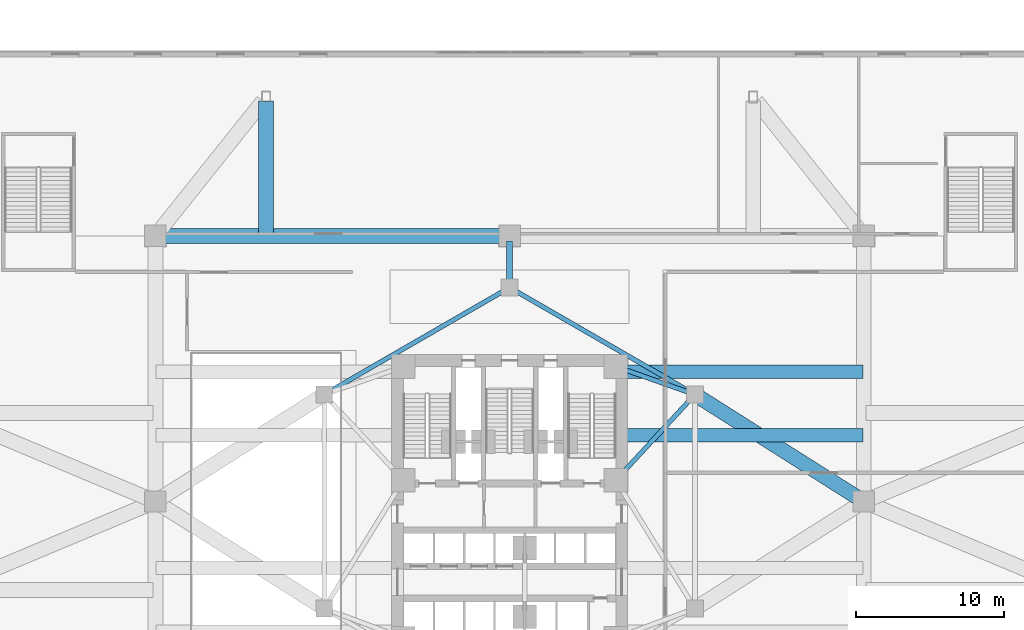
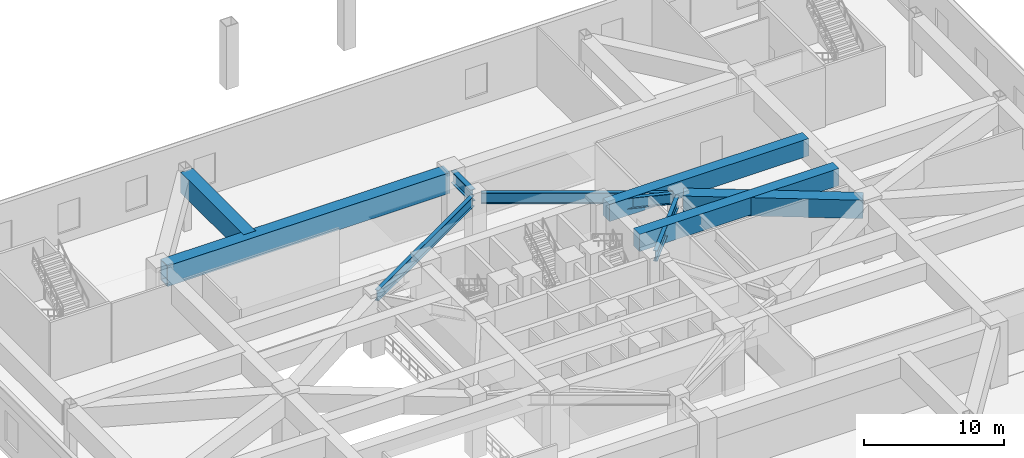
# One storey, part 6 of 23: 10 beams.
"""IFC4 building model written with IfcOpenShell, lengths in metres."""

from ifc_helpers import new_model, si_unit, direction, frame, origin, origin_2d, place, context, subcontext, project, spatial, rectangle, hollow_rectangle, i_section, extrude, material, material_profile, profile_set, type_object, element, save


model = new_model("IFC4")

# Units and contexts
model_context = context("Model", 3, precision=1e-05, world=origin(), true_north=direction((0.0, 1.0)))
body_context = subcontext(model_context, "Body", "Model", "MODEL_VIEW")
ifc_project = project(units=[si_unit("LENGTHUNIT", "METRE"), si_unit("AREAUNIT", "SQUARE_METRE"), si_unit("VOLUMEUNIT", "CUBIC_METRE"), si_unit("PLANEANGLEUNIT", "RADIAN"), si_unit("MASSUNIT", "GRAM", prefix="KILO")], contexts=[model_context])

# Site, building, storey
site_placement = place(None, origin())
site = spatial("IfcSite", under=ifc_project, at=site_placement, CompositionType="ELEMENT")
building_placement = place(site_placement, origin())
building = spatial("IfcBuilding", under=site, at=building_placement, Name="Apsidion Concourse Tower", CompositionType="ELEMENT")
storey_placement = place(building_placement, frame((0.0, 0.0, 6.0)))
storey = spatial("IfcBuildingStorey", under=building, at=storey_placement, Name="L01", CompositionType="ELEMENT", Elevation=6.0)

# Beams
ifc_material_1 = material(Name="Structural steel ASTM A992 Grade 50", Category="steel")
ifc_material_profile_1 = material_profile(ifc_material_1, i_section(OverallWidth=0.31005859375, OverallDepth=0.931884765625, WebThickness=0.02099609375, FlangeThickness=0.034423828125, at=origin_2d()), Name="W36X210")
ifc_profile_set_1 = profile_set([ifc_material_profile_1], Name="Structural steel ASTM A992 Grade 50")
beam_type_1 = type_object("IfcBeamType", Name="BM-G-W36", PredefinedType="USERDEFINED", material=ifc_profile_set_1)
beam_1_placement = place(storey_placement, frame((12.28857421875, 6.956298828125, 4.73388671875), z_axis=(-0.678712876106, -0.73440372535, 0.0), x_axis=(0.73440372535, -0.678712876106, 0.0)))
element("IfcBeam", 1, at=beam_1_placement, inside=storey, type_object=beam_type_1, Name="L01 Core Coupling Girder IC3-SC3", ObjectType="GIRDER", PredefinedType="USERDEFINED", context=body_context, shape_type="SweptSolid", body=[
    extrude(i_section(OverallWidth=0.31005859375, OverallDepth=0.931884765625, WebThickness=0.02099609375, FlangeThickness=0.034423828125, at=origin_2d()), origin(), (0.0, 0.0, 1.0), 7.097412109375),
])
beam_2_placement = place(storey_placement, frame((12.18310546875, 7.383544921875, 4.73388671875), z_axis=(-0.942533844539, 0.334110688094, 0.0), x_axis=(-0.334110688094, -0.942533844539, 0.0)))
element("IfcBeam", 2, at=beam_2_placement, inside=storey, type_object=beam_type_1, Name="L01 Core Coupling Girder IC3-SC4", ObjectType="GIRDER", PredefinedType="USERDEFINED", context=body_context, shape_type="SweptSolid", body=[
    extrude(i_section(OverallWidth=0.31005859375, OverallDepth=0.931884765625, WebThickness=0.02099609375, FlangeThickness=0.034423828125, at=origin_2d()), origin(), (0.0, 0.0, 1.0), 4.886962890625),
])
for number, where, z_axis, x_axis, name in (
    (3, (-12.213623046875, 7.449951171875, 4.73388671875), (0.866070471464, 0.499921932364, 0.0), (-0.499921932364, 0.866070471464, 0.0), "L01 Core Coupling Girder IC5-IC4"),
    (4, (0.346435546875, 14.300048828125, 4.73388671875), (0.866070471464, -0.499921932364, 0.0), (0.499921932364, 0.866070471464, 0.0), "L01 Core Coupling Girder IC4-IC3"),
):
    element("IfcBeam", number, at=place(storey_placement, frame(where, z_axis=z_axis, x_axis=x_axis)), inside=storey, type_object=beam_type_1, Name=name, ObjectType="GIRDER", PredefinedType="USERDEFINED", context=body_context, shape_type="SweptSolid", body=[
        extrude(i_section(OverallWidth=0.31005859375, OverallDepth=0.931884765625, WebThickness=0.02099609375, FlangeThickness=0.034423828125, at=origin_2d()), origin(), (0.0, 0.0, 1.0), 13.702392578125),
    ])
ifc_material_profile_2 = material_profile(ifc_material_1, i_section(OverallWidth=0.408935546875, OverallDepth=1.041015625, WebThickness=0.031005859375, FlangeThickness=0.055908203125, at=origin_2d()), Name="W40X397")
ifc_profile_set_2 = profile_set([ifc_material_profile_2], Name="Structural steel ASTM A992 Grade 50")
beam_type_2 = type_object("IfcBeamType", Name="BM-G-W40H", PredefinedType="USERDEFINED", material=ifc_profile_set_2)
beam_3_placement = place(storey_placement, frame((0.0, 17.64990234375, 4.679443359375), z_axis=(0.0, -1.0, 0.0), x_axis=(1.0, 0.0, 0.0)))
element("IfcBeam", 5, at=beam_3_placement, inside=storey, type_object=beam_type_2, Name="L01 Podium Girder MC8-IC4", ObjectType="GIRDER", PredefinedType="USERDEFINED", context=body_context, shape_type="SweptSolid", body=[
    extrude(i_section(OverallWidth=0.408935546875, OverallDepth=1.041015625, WebThickness=0.031005859375, FlangeThickness=0.055908203125, at=origin_2d()), origin(), (0.0, 0.0, 1.0), 2.7998046875),
])
ifc_material_2 = material(Name="Concrete C50/60", Category="concrete")
ifc_material_profile_3 = material_profile(ifc_material_2, rectangle(XDim=0.89990234375, YDim=1.5, at=origin_2d()), Name="RC 900x1500")
ifc_profile_set_3 = profile_set([ifc_material_profile_3], Name="Concrete C50/60")
beam_type_3 = type_object("IfcBeamType", Name="BM-TB-RC15", PredefinedType="T_BEAM", material=ifc_profile_set_3)
for number, where, z_axis, x_axis, name in (
    (6, (7.5, 4.5, 4.449951171875), (1.0, 0.0, 0.0), (0.0, 1.0, 0.0), "L01 Convention Long-Span Tee Beam E3"),
    (7, (7.5, 8.800048828125, 4.449951171875), (1.0, 0.0, 0.0), (0.0, 1.0, 0.0), "L01 Convention Long-Span Tee Beam E4"),
):
    element("IfcBeam", number, at=place(storey_placement, frame(where, z_axis=z_axis, x_axis=x_axis)), inside=storey, type_object=beam_type_3, Name=name, PredefinedType="T_BEAM", context=body_context, shape_type="SweptSolid", body=[
        extrude(rectangle(XDim=0.89990234375, YDim=1.5, at=origin_2d()), origin(), (0.0, 0.0, 1.0), 16.449951171875),
    ])
ifc_material_3 = material(Name="Structural steel ASTM A572 Grade 50", Category="steel")
ifc_material_profile_4 = material_profile(ifc_material_3, hollow_rectangle(XDim=1.0, YDim=1.60009765625, WallThickness=0.074951171875, at=origin_2d()), Name="BOX1600X1000X75")
ifc_profile_set_4 = profile_set([ifc_material_profile_4], Name="Structural steel ASTM A572 Grade 50")
beam_type_4 = type_object("IfcBeamType", Name="BM-TR-1600", PredefinedType="USERDEFINED", material=ifc_profile_set_4)
beam_4_placement = place(storey_placement, frame((23.704345703125, 0.1875, 4.39990234375), z_axis=(-0.844671254714, 0.535285411215, 0.0), x_axis=(-0.535285411215, -0.844671254714, 0.0)))
element("IfcBeam", 8, at=beam_4_placement, inside=storey, type_object=beam_type_4, Name="L01 Podium Girder MC4-IC3", ObjectType="GIRDER", PredefinedType="USERDEFINED", context=body_context, shape_type="SweptSolid", body=[
    extrude(hollow_rectangle(XDim=1.0, YDim=1.60009765625, WallThickness=0.074951171875, at=origin_2d()), origin(), (0.0, 0.0, 1.0), 12.843505859375),
])
ifc_material_profile_5 = material_profile(ifc_material_3, hollow_rectangle(XDim=1.0, YDim=1.800048828125, WallThickness=0.080078125, at=origin_2d()), Name="BOX1800X1000X80")
ifc_profile_set_5 = profile_set([ifc_material_profile_5], Name="Structural steel ASTM A572 Grade 50")
beam_type_5 = type_object("IfcBeamType", Name="BM-TR-1800", PredefinedType="USERDEFINED", material=ifc_profile_set_5)
beam_5_placement = place(storey_placement, frame((-23.64990234375, 18.0, 4.300048828125), z_axis=(1.0, 0.0, 0.0), x_axis=(0.0, 1.0, 0.0)))
element("IfcBeam", 9, at=beam_5_placement, inside=storey, type_object=beam_type_5, Name="L01 Podium Transfer Collector Girder MC5-MC8", ObjectType="GIRDER", PredefinedType="USERDEFINED", context=body_context, shape_type="SweptSolid", body=[
    extrude(hollow_rectangle(XDim=1.0, YDim=1.800048828125, WallThickness=0.080078125, at=origin_2d()), origin(), (0.0, 0.0, 1.0), 23.2998046875),
])
beam_6_placement = place(storey_placement, frame((-16.5, 27.14990234375, 4.300048828125), z_axis=(0.0, -1.0, 0.0), x_axis=(1.0, 0.0, 0.0)))
element("IfcBeam", 10, at=beam_6_placement, inside=storey, type_object=beam_type_5, Name="L01 Podium Radial Frame Girder PC11", ObjectType="GIRDER", PredefinedType="USERDEFINED", context=body_context, shape_type="SweptSolid", body=[
    extrude(hollow_rectangle(XDim=1.0, YDim=1.800048828125, WallThickness=0.080078125, at=origin_2d()), origin(), (0.0, 0.0, 1.0), 9.0),
])

save(model, "model.ifc")
